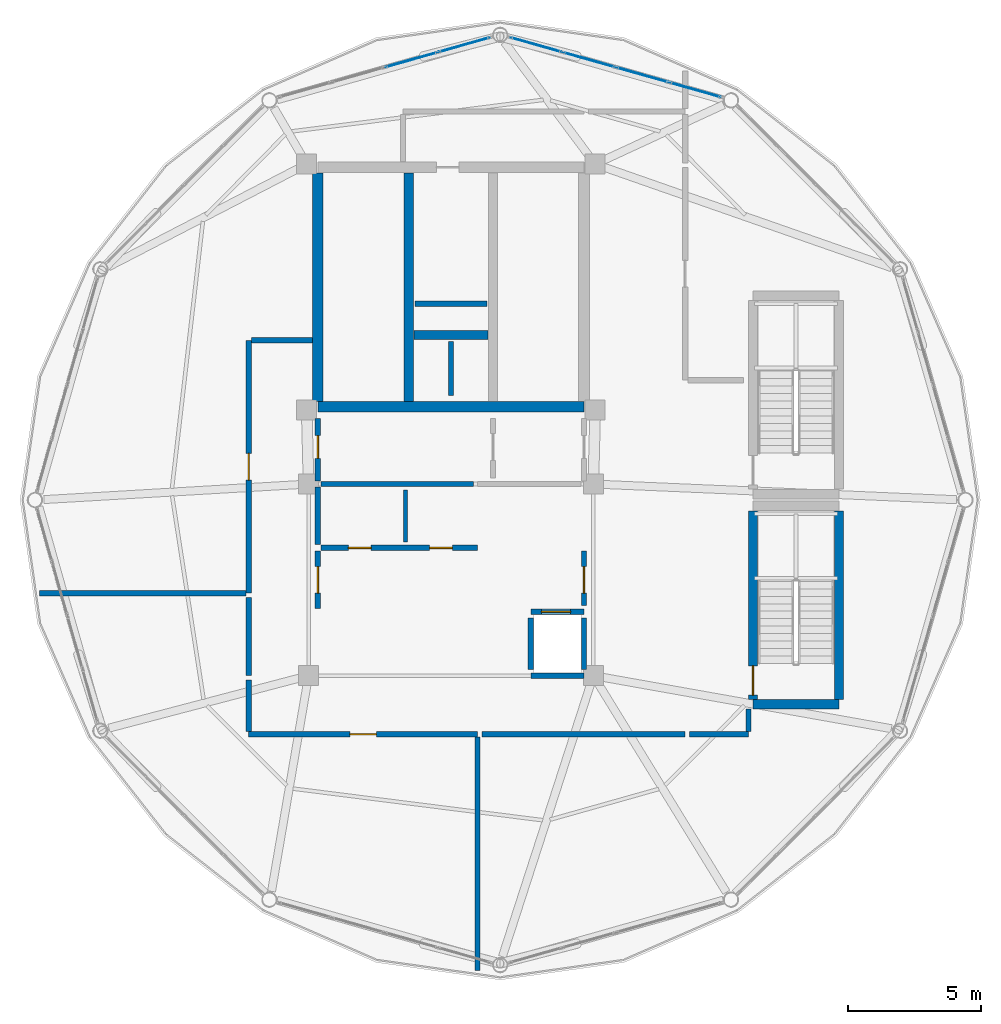
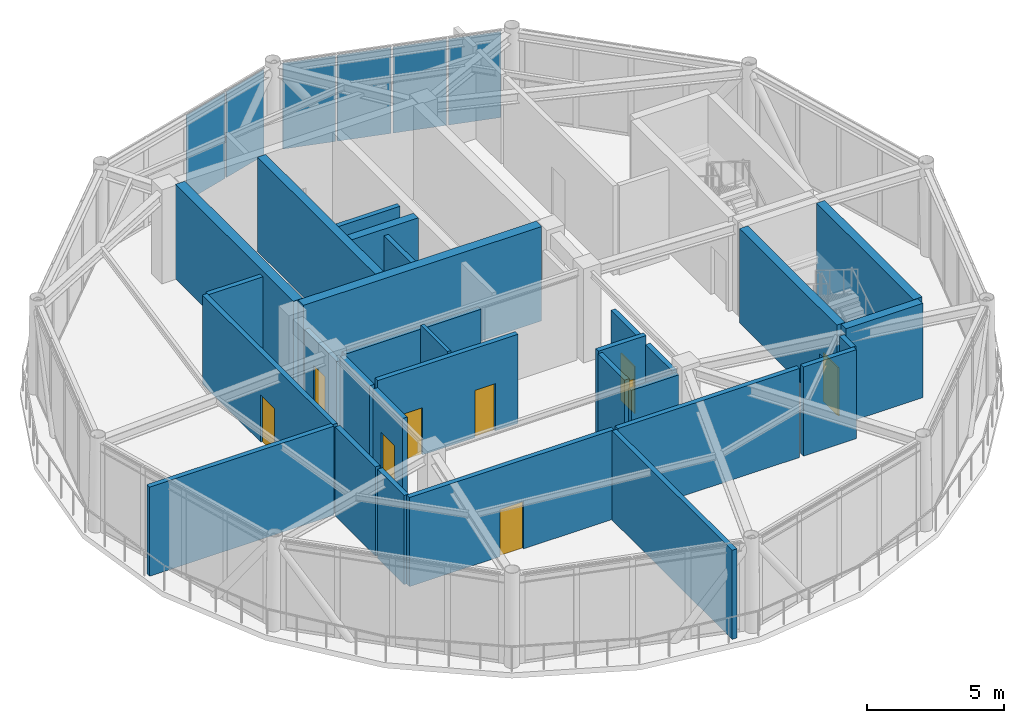
# One storey, part 16 of 20: 30 walls, 9 doors, 6 plates, 9 openings, 2 elements without a shape of their own.
"""IFC4 building model written with IfcOpenShell, lengths in metres."""

from ifc_helpers import new_model, si_unit, direction, frame, frame_2d, origin, origin_2d, place, context, subcontext, project, spatial, rectangle, extrude, source, transform, mapped, material, layer, layer_set, type_object, type_shapes, element, fill, aggregate, save


model = new_model("IFC4")

# Units and contexts
model_context = context("Model", 3, precision=1e-05, world=origin(), true_north=direction((0.0, 1.0)))
body_context = subcontext(model_context, "Body", "Model", "MODEL_VIEW")
ifc_project = project(units=[si_unit("LENGTHUNIT", "METRE"), si_unit("AREAUNIT", "SQUARE_METRE"), si_unit("VOLUMEUNIT", "CUBIC_METRE"), si_unit("PLANEANGLEUNIT", "RADIAN"), si_unit("MASSUNIT", "GRAM", prefix="KILO")], contexts=[model_context])

# Site, building, storey
site_placement = place(None, origin())
site = spatial("IfcSite", under=ifc_project, at=site_placement, CompositionType="ELEMENT")
building_placement = place(site_placement, origin())
building = spatial("IfcBuilding", under=site, at=building_placement, Name="Varnakorn Sky Granary", CompositionType="ELEMENT")
storey_placement = place(building_placement, frame((0.0, 0.0, 302.39990234375)))
storey = spatial("IfcBuildingStorey", under=building, at=storey_placement, Name="L77", CompositionType="ELEMENT", Elevation=302.39990234375)

# Curtain wall, plates
ifc_material_1 = material(Name="Anodised Bronze Aluminium Alloy 6063-T6", Category="aluminium")
ifc_layer_1 = layer(ifc_material_1, 0.22998046875, Name="Anodised Bronze Aluminium Alloy 6063-T6")
ifc_layer_set_1 = layer_set([ifc_layer_1], Name="Anodised Bronze Aluminium Alloy 6063-T6")
curtain_wall_type = type_object("IfcCurtainWallType", Name="CW-LNT-1", PredefinedType="USERDEFINED", material=ifc_layer_set_1)
curtain_wall_1_placement = place(storey_placement, origin())
curtain_wall_1 = element("IfcCurtainWall", 1, at=curtain_wall_1_placement, inside=storey, type_object=curtain_wall_type, Name="Unitised Curtain Wall CW7 CW-L77-B03", ObjectType="CURTAIN WALL", PredefinedType="USERDEFINED")
ifc_material_2 = material(Name="Opaque Insulated Aluminium Shadow-Box Unit", Category="aluminium")
ifc_layer_2 = layer(ifc_material_2, 0.035888671875, Name="Opaque Insulated Aluminium Shadow-Box Unit")
ifc_layer_set_2 = layer_set([ifc_layer_2], Name="Opaque Insulated Aluminium Shadow-Box Unit")
plate_type = type_object("IfcPlateType", Name="CW-LNT-1-PNL", PredefinedType="CURTAIN_PANEL")
shared_shape_1 = source(origin(), body_context, "Body", "SweptSolid", [
    extrude(rectangle(XDim=1.972900390625, YDim=0.035888671875, at=origin_2d()), origin(), (0.0, 0.0, 1.0), 3.81005859375),
])
plate_1_placement = place(storey_placement, frame((6.19775390625, 17.10400390625, 0.074951171875), z_axis=(0.0, 0.0, 1.0), x_axis=(0.962113415029, -0.272649549095, 0.0)))
plate_1 = element("IfcPlate", 2, at=plate_1_placement, type_object=plate_type, material=ifc_layer_set_2, Name="CW7 opaque insulated shadow-box unit 1.1", PredefinedType="CURTAIN_PANEL", context=body_context, shape_type="MappedRepresentation", body=[
    mapped(shared_shape_1, transform((0.0, 0.0, 0.0), x_axis=(1.0, 0.0, 0.0), y_axis=(0.0, 1.0, 0.0), z_axis=(0.0, 0.0, 1.0), scale=1.0)),
])
ifc_material_3 = material(Name="Low-E Tinted Laminated Glass", Category="glass")
ifc_layer_3 = layer(ifc_material_3, 0.035888671875, Name="Low-E Tinted Laminated Glass")
ifc_layer_set_3 = layer_set([ifc_layer_3], Name="Low-E Tinted Laminated Glass")
plate_2_placement = place(storey_placement, frame((12.18115234375, 15.408447265625, 0.074951171875), z_axis=(0.0, 0.0, 1.0), x_axis=(0.962113415029, -0.272649549095, 0.0)))
plate_2 = element("IfcPlate", 3, at=plate_2_placement, type_object=plate_type, material=ifc_layer_set_3, Name="CW7 vision glazing unit 4.1", PredefinedType="CURTAIN_PANEL", context=body_context, shape_type="MappedRepresentation", body=[
    mapped(shared_shape_1, transform((0.0, 0.0, 0.0), x_axis=(1.0, 0.0, 0.0), y_axis=(0.0, 1.0, 0.0), z_axis=(0.0, 0.0, 1.0), scale=1.0)),
])

# Curtain wall, plate
curtain_wall_2_placement = place(storey_placement, origin())
curtain_wall_2 = element("IfcCurtainWall", 4, at=curtain_wall_2_placement, inside=storey, type_object=curtain_wall_type, Name="Unitised Curtain Wall CW7 CW-L77-B04", ObjectType="CURTAIN WALL", PredefinedType="USERDEFINED")
plate_3_placement = place(storey_placement, frame((3.502197265625, 17.10400390625, 0.074951171875), z_axis=(0.0, 0.0, 1.0), x_axis=(0.962113415029, 0.272649549095, 0.0)))
plate_3 = element("IfcPlate", 5, at=plate_3_placement, type_object=plate_type, material=ifc_layer_set_2, Name="CW7 opaque insulated shadow-box unit 4.1", PredefinedType="CURTAIN_PANEL", context=body_context, shape_type="MappedRepresentation", body=[
    mapped(shared_shape_1, transform((0.0, 0.0, 0.0), x_axis=(1.0, 0.0, 0.0), y_axis=(0.0, 1.0, 0.0), z_axis=(0.0, 0.0, 1.0), scale=1.0)),
])

# Plate
shared_shape_2 = source(origin(), body_context, "Body", "SweptSolid", [
    extrude(rectangle(XDim=2.010498046875, YDim=0.035888671875, at=origin_2d()), origin(), (0.0, 0.0, 1.0), 3.81005859375),
])
type_shapes(plate_type, [shared_shape_1, shared_shape_2])
plate_4_placement = place(storey_placement, frame((8.186279296875, 16.54052734375, 0.074951171875), z_axis=(0.0, 0.0, 1.0), x_axis=(0.962113415029, -0.272649549095, 0.0)))
plate_4 = element("IfcPlate", 6, at=plate_4_placement, type_object=plate_type, material=ifc_layer_set_2, Name="CW7 opaque insulated shadow-box unit 2.1", PredefinedType="CURTAIN_PANEL", context=body_context, shape_type="MappedRepresentation", body=[
    mapped(shared_shape_2, transform((0.0, 0.0, 0.0), x_axis=(1.0, 0.0, 0.0), y_axis=(0.0, 1.0, 0.0), z_axis=(0.0, 0.0, 1.0), scale=1.0)),
])

plate_5_placement = place(storey_placement, frame((10.192626953125, 15.971923828125, 0.074951171875), z_axis=(0.0, 0.0, 1.0), x_axis=(0.962113415029, -0.272649549095, 0.0)))
plate_5 = element("IfcPlate", 7, at=plate_5_placement, type_object=plate_type, material=ifc_layer_set_3, Name="CW7 vision glazing unit 3.1", PredefinedType="CURTAIN_PANEL", context=body_context, shape_type="MappedRepresentation", body=[
    mapped(shared_shape_2, transform((0.0, 0.0, 0.0), x_axis=(1.0, 0.0, 0.0), y_axis=(0.0, 1.0, 0.0), z_axis=(0.0, 0.0, 1.0), scale=1.0)),
])

aggregate(curtain_wall_1, [plate_1, plate_4, plate_5, plate_2])

plate_6_placement = place(storey_placement, frame((1.513671875, 16.54052734375, 0.074951171875), z_axis=(0.0, 0.0, 1.0), x_axis=(0.962113415029, 0.272649549095, 0.0)))
plate_6 = element("IfcPlate", 8, at=plate_6_placement, type_object=plate_type, material=ifc_layer_set_2, Name="CW7 opaque insulated shadow-box unit 3.1", PredefinedType="CURTAIN_PANEL", context=body_context, shape_type="MappedRepresentation", body=[
    mapped(shared_shape_2, transform((0.0, 0.0, 0.0), x_axis=(1.0, 0.0, 0.0), y_axis=(0.0, 1.0, 0.0), z_axis=(0.0, 0.0, 1.0), scale=1.0)),
])

aggregate(curtain_wall_2, [plate_6, plate_3])

# Wall
ifc_material_4 = material(Name="Concrete C50/60", Category="concrete")
ifc_layer_4 = layer(ifc_material_4, 0.35009765625, Name="Concrete C50/60")
ifc_layer_set_4 = layer_set([ifc_layer_4], Name="Concrete C50/60")
wall_type_1 = type_object("IfcWallType", Name="WT-CW-INT-350", PredefinedType="SHEAR", material=ifc_layer_set_4)
wall_1_placement = place(storey_placement, frame((14.35009765625, -7.679931640625, 0.0), z_axis=(0.0, 0.0, 1.0), x_axis=(1.0, 0.0, 0.0)))
element("IfcWall", 9, at=wall_1_placement, inside=storey, type_object=wall_type_1, Name="Crown Stair STC2 South Wall L77", PredefinedType="SHEAR", context=body_context, shape_type="SweptSolid", body=[
    extrude(rectangle(XDim=3.22998046875, YDim=0.35009765625, at=frame_2d((1.614990234375, 0.0))), origin(), (0.0, 0.0, 1.0), 4.192138671875),
])

# Wall, opening, door
wall_2_placement = place(storey_placement, frame((14.35009765625, -7.489990234375, 0.0), z_axis=(0.0, 0.0, 1.0), x_axis=(0.0, 1.0, 0.0)))
wall_2 = element("IfcWall", 10, at=wall_2_placement, inside=storey, type_object=wall_type_1, Name="Crown Stair STC2 West Wall L77", PredefinedType="SHEAR", context=body_context, shape_type="SweptSolid", body=[
    extrude(rectangle(XDim=7.080078125, YDim=0.35009765625, at=frame_2d((3.5400390625, 0.0))), origin(), (0.0, 0.0, 1.0), 4.192138671875),
])
opening_1_placement = place(wall_2_placement, frame((0.159912109375, 0.0, 0.0)))
opening_1 = element("IfcOpeningElement", 11, at=opening_1_placement, cuts=wall_2, Name="Opening FD-90", PredefinedType="OPENING", context=body_context, shape_type="SweptSolid", body=[
    extrude(rectangle(XDim=1.10009765625, YDim=2.14990234375, at=frame_2d((0.550048828125, 1.074951171875))), frame((0.0, 0.18505859375, 0.0), z_axis=(0.0, -1.0, 0.0), x_axis=(1.0, 0.0, 0.0)), (0.0, 0.0, 1.0), 0.3701171875),
])
ifc_material_5 = material(Name="Galvanised Painted Steel Leaf", Category="steel")
door_type_1 = type_object("IfcDoorType", Name="DR-STAIR-1100", OperationType="NOTDEFINED", PredefinedType="DOOR", material=ifc_material_5)
door_1_placement = place(opening_1_placement, origin())
door_1 = element("IfcDoor", 12, at=door_1_placement, inside=storey, type_object=door_type_1, Name="Crown Stair STC2 Protected Fire Door L77", OperationType="SINGLE_SWING_RIGHT", OverallHeight=2.14990234375, OverallWidth=1.10009765625, PredefinedType="DOOR", context=body_context, shape_type="SweptSolid", body=[
    extrude(rectangle(XDim=1.10009765625, YDim=2.14990234375, at=frame_2d((0.550048828125, 1.074951171875))), frame((0.0, 0.02490234375, 0.0), z_axis=(0.0, -1.0, 0.0), x_axis=(1.0, 0.0, 0.0)), (0.0, 0.0, 1.0), 0.050048828125),
])
fill(opening_1, door_1)

# Walls
wall_3_placement = place(storey_placement, frame((17.580078125, -7.489990234375, 0.0), z_axis=(0.0, 0.0, 1.0), x_axis=(0.0, 1.0, 0.0)))
element("IfcWall", 13, at=wall_3_placement, inside=storey, type_object=wall_type_1, Name="Crown Stair STC2 East Wall L77", PredefinedType="SHEAR", context=body_context, shape_type="SweptSolid", body=[
    extrude(rectangle(XDim=7.080078125, YDim=0.35009765625, at=frame_2d((3.5400390625, 0.0))), origin(), (0.0, 0.0, 1.0), 4.192138671875),
])
wall_4_placement = place(storey_placement, frame((1.419921875, 3.7099609375, 0.0), z_axis=(0.0, 0.0, 1.0), x_axis=(0.0, 1.0, 0.0)))
element("IfcWall", 14, at=wall_4_placement, inside=storey, type_object=wall_type_1, Name="Stair ST-1 Core Wall L77", PredefinedType="SHEAR", context=body_context, shape_type="SweptSolid", body=[
    extrude(rectangle(XDim=8.580078125, YDim=0.35009765625, at=frame_2d((4.2900390625, 0.0))), origin(), (0.0, 0.0, 1.0), 4.192138671875),
])
wall_5_placement = place(storey_placement, frame((1.610107421875, 6.199951171875, 0.0), z_axis=(0.0, 0.0, 1.0), x_axis=(1.0, 0.0, 0.0)))
element("IfcWall", 15, at=wall_5_placement, inside=storey, type_object=wall_type_1, Name="Core Lift Shaft Cross Wall L77", PredefinedType="SHEAR", context=body_context, shape_type="SweptSolid", body=[
    extrude(rectangle(XDim=2.77978515625, YDim=0.35009765625, at=frame_2d((1.389892578125, 0.0))), origin(), (0.0, 0.0, 1.0), 4.192138671875),
])
ifc_layer_5 = layer(ifc_material_4, 0.39990234375, Name="Concrete C50/60")
ifc_layer_set_5 = layer_set([ifc_layer_5], Name="Concrete C50/60")
wall_type_2 = type_object("IfcWallType", Name="WT-CW-SHEAR-400", PredefinedType="SHEAR", material=ifc_layer_set_5)
wall_6_placement = place(storey_placement, frame((-2.0, 3.5, 0.0), z_axis=(0.0, 0.0, 1.0), x_axis=(1.0, 0.0, 0.0)))
element("IfcWall", 16, at=wall_6_placement, inside=storey, type_object=wall_type_2, Name="Core South Shear Wall L77", PredefinedType="SHEAR", context=body_context, shape_type="SweptSolid", body=[
    extrude(rectangle(XDim=10.0, YDim=0.39990234375, at=frame_2d((5.0, 0.0))), origin(), (0.0, 0.0, 1.0), 4.192138671875),
])
wall_7_placement = place(storey_placement, frame((-2.0, 3.7099609375, 0.0), z_axis=(0.0, 0.0, 1.0), x_axis=(0.0, 1.0, 0.0)))
element("IfcWall", 17, at=wall_7_placement, inside=storey, type_object=wall_type_2, Name="Core West Shear Wall L77", PredefinedType="SHEAR", context=body_context, shape_type="SweptSolid", body=[
    extrude(rectangle(XDim=8.580078125, YDim=0.39990234375, at=frame_2d((4.2900390625, 0.0))), origin(), (0.0, 0.0, 1.0), 4.192138671875),
])

# Wall, opening, door
ifc_material_6 = material(Name="Autoclaved Aerated Concrete Blockwork", Category="masonry")
ifc_layer_6 = layer(ifc_material_6, 0.199951171875, Name="Autoclaved Aerated Concrete Blockwork")
ifc_layer_set_6 = layer_set([ifc_layer_6], Name="Autoclaved Aerated Concrete Blockwork")
wall_type_3 = type_object("IfcWallType", Name="WT-FIRE-200", PredefinedType="MOVABLE", material=ifc_layer_set_6)
wall_8_placement = place(storey_placement, frame((-2.0, 0.719970703125, 0.0), z_axis=(0.0, 0.0, 1.0), x_axis=(0.0, 1.0, 0.0)))
wall_8 = element("IfcWall", 18, at=wall_8_placement, inside=storey, type_object=wall_type_3, Name="Interior Partition Wall L77-009", PredefinedType="MOVABLE", context=body_context, shape_type="SweptSolid", body=[
    extrude(rectangle(XDim=2.35009765625, YDim=0.199951171875, at=frame_2d((1.175048828125, 0.0))), origin(), (0.0, 0.0, 1.0), 3.2919921875),
])
opening_2_placement = place(wall_8_placement, frame((0.844970703125, 0.0, 0.0)))
opening_2 = element("IfcOpeningElement", 19, at=opening_2_placement, cuts=wall_8, Name="Opening FD-60N", PredefinedType="OPENING", context=body_context, shape_type="SweptSolid", body=[
    extrude(rectangle(XDim=0.85009765625, YDim=2.10009765625, at=frame_2d((0.425048828125, 1.050048828125))), frame((0.0, 0.10986328125, 0.0), z_axis=(0.0, -1.0, 0.0), x_axis=(1.0, 0.0, 0.0)), (0.0, 0.0, 1.0), 0.219970703125),
])
ifc_material_7 = material(Name="Acoustic Timber Fire Leaf", Category="wood")
door_type_2 = type_object("IfcDoorType", Name="DR-FD60-850", OperationType="NOTDEFINED", PredefinedType="DOOR", material=ifc_material_7)
door_2_placement = place(opening_2_placement, origin())
door_2 = element("IfcDoor", 20, at=door_2_placement, inside=storey, type_object=door_type_2, Name="Interior Door L77-009-1", OperationType="SINGLE_SWING_LEFT", OverallHeight=2.10009765625, OverallWidth=0.85009765625, PredefinedType="DOOR", context=body_context, shape_type="SweptSolid", body=[
    extrude(rectangle(XDim=0.85009765625, YDim=2.10009765625, at=frame_2d((0.425048828125, 1.050048828125))), frame((0.0, 0.02490234375, 0.0), z_axis=(0.0, -1.0, 0.0), x_axis=(1.0, 0.0, 0.0)), (0.0, 0.0, 1.0), 0.050048828125),
])
fill(opening_2, door_2)

wall_9_placement = place(storey_placement, frame((-2.0, -4.080078125, 0.0), z_axis=(0.0, 0.0, 1.0), x_axis=(0.0, 1.0, 0.0)))
wall_9 = element("IfcWall", 21, at=wall_9_placement, inside=storey, type_object=wall_type_3, Name="Interior Partition Wall L77-011", PredefinedType="MOVABLE", context=body_context, shape_type="SweptSolid", body=[
    extrude(rectangle(XDim=2.16015625, YDim=0.199951171875, at=frame_2d((1.080078125, 0.0))), origin(), (0.0, 0.0, 1.0), 3.672119140625),
])
opening_3_placement = place(wall_9_placement, frame((0.580078125, 0.0, 0.0)))
opening_3 = element("IfcOpeningElement", 22, at=opening_3_placement, cuts=wall_9, Name="Opening FD-60", PredefinedType="OPENING", context=body_context, shape_type="SweptSolid", body=[
    extrude(rectangle(XDim=1.0, YDim=2.10009765625, at=frame_2d((0.5, 1.050048828125))), frame((0.0, 0.10986328125, 0.0), z_axis=(0.0, -1.0, 0.0), x_axis=(1.0, 0.0, 0.0)), (0.0, 0.0, 1.0), 0.219970703125),
])
door_type_3 = type_object("IfcDoorType", Name="DR-FD60-1000", OperationType="NOTDEFINED", PredefinedType="DOOR", material=ifc_material_7)
door_3_placement = place(opening_3_placement, origin())
door_3 = element("IfcDoor", 23, at=door_3_placement, inside=storey, type_object=door_type_3, Name="Interior Door L77-011-1", OperationType="SINGLE_SWING_LEFT", OverallHeight=2.10009765625, OverallWidth=1.0, PredefinedType="DOOR", context=body_context, shape_type="SweptSolid", body=[
    extrude(rectangle(XDim=1.0, YDim=2.10009765625, at=frame_2d((0.5, 1.050048828125))), frame((0.0, 0.02490234375, 0.0), z_axis=(0.0, -1.0, 0.0), x_axis=(1.0, 0.0, 0.0)), (0.0, 0.0, 1.0), 0.050048828125),
])
fill(opening_3, door_3)

wall_10_placement = place(storey_placement, frame((8.0, -3.969970703125, 0.0), z_axis=(0.0, 0.0, 1.0), x_axis=(0.0, 1.0, 0.0)))
wall_10 = element("IfcWall", 24, at=wall_10_placement, inside=storey, type_object=wall_type_3, Name="Interior Partition Wall L77-012", PredefinedType="MOVABLE", context=body_context, shape_type="SweptSolid", body=[
    extrude(rectangle(XDim=2.050048828125, YDim=0.199951171875, at=frame_2d((1.02490234375, 0.0))), origin(), (0.0, 0.0, 1.0), 3.672119140625),
])
opening_4_placement = place(wall_10_placement, frame((0.469970703125, 0.0, 0.0)))
opening_4 = element("IfcOpeningElement", 25, at=opening_4_placement, cuts=wall_10, Name="Opening FD-60", PredefinedType="OPENING", context=body_context, shape_type="SweptSolid", body=[
    extrude(rectangle(XDim=1.0, YDim=2.10009765625, at=frame_2d((0.5, 1.050048828125))), frame((0.0, 0.10986328125, 0.0), z_axis=(0.0, -1.0, 0.0), x_axis=(1.0, 0.0, 0.0)), (0.0, 0.0, 1.0), 0.219970703125),
])
door_4_placement = place(opening_4_placement, origin())
door_4 = element("IfcDoor", 26, at=door_4_placement, inside=storey, type_object=door_type_3, Name="Interior Door L77-012-1", OperationType="SINGLE_SWING_RIGHT", OverallHeight=2.10009765625, OverallWidth=1.0, PredefinedType="DOOR", context=body_context, shape_type="SweptSolid", body=[
    extrude(rectangle(XDim=1.0, YDim=2.10009765625, at=frame_2d((0.5, 1.050048828125))), frame((0.0, 0.02490234375, 0.0), z_axis=(0.0, -1.0, 0.0), x_axis=(1.0, 0.0, 0.0)), (0.0, 0.0, 1.0), 0.050048828125),
])
fill(opening_4, door_4)

# Wall, openings, doors
wall_11_placement = place(storey_placement, frame((-1.889892578125, -1.800048828125, 0.0), z_axis=(0.0, 0.0, 1.0), x_axis=(1.0, 0.0, 0.0)))
wall_11 = element("IfcWall", 27, at=wall_11_placement, inside=storey, type_object=wall_type_3, Name="Interior Partition Wall L77-013", PredefinedType="MOVABLE", context=body_context, shape_type="SweptSolid", body=[
    extrude(rectangle(XDim=5.889892578125, YDim=0.199951171875, at=frame_2d((2.94482421875, 0.0))), origin(), (0.0, 0.0, 1.0), 3.960205078125),
])
opening_5_placement = place(wall_11_placement, frame((1.0400390625, 0.0, 0.0)))
opening_5 = element("IfcOpeningElement", 28, at=opening_5_placement, cuts=wall_11, Name="Opening FD-60N", PredefinedType="OPENING", context=body_context, shape_type="SweptSolid", body=[
    extrude(rectangle(XDim=0.85009765625, YDim=2.10009765625, at=frame_2d((0.425048828125, 1.050048828125))), frame((0.0, 0.10986328125, 0.0), z_axis=(0.0, -1.0, 0.0), x_axis=(1.0, 0.0, 0.0)), (0.0, 0.0, 1.0), 0.219970703125),
])
opening_6_placement = place(wall_11_placement, frame((4.090087890625, 0.0, 0.0)))
opening_6 = element("IfcOpeningElement", 29, at=opening_6_placement, cuts=wall_11, Name="Opening FD-60N", PredefinedType="OPENING", context=body_context, shape_type="SweptSolid", body=[
    extrude(rectangle(XDim=0.85009765625, YDim=2.10009765625, at=frame_2d((0.425048828125, 1.050048828125))), frame((0.0, 0.10986328125, 0.0), z_axis=(0.0, -1.0, 0.0), x_axis=(1.0, 0.0, 0.0)), (0.0, 0.0, 1.0), 0.219970703125),
])
door_5_placement = place(opening_5_placement, origin())
door_5 = element("IfcDoor", 30, at=door_5_placement, inside=storey, type_object=door_type_2, Name="Interior Door L77-013-1", OperationType="SINGLE_SWING_LEFT", OverallHeight=2.10009765625, OverallWidth=0.85009765625, PredefinedType="DOOR", context=body_context, shape_type="SweptSolid", body=[
    extrude(rectangle(XDim=0.85009765625, YDim=2.10009765625, at=frame_2d((0.425048828125, 1.050048828125))), frame((0.0, 0.02490234375, 0.0), z_axis=(0.0, -1.0, 0.0), x_axis=(1.0, 0.0, 0.0)), (0.0, 0.0, 1.0), 0.050048828125),
])
fill(opening_5, door_5)
door_6_placement = place(opening_6_placement, origin())
door_6 = element("IfcDoor", 31, at=door_6_placement, inside=storey, type_object=door_type_2, Name="Interior Door L77-013-2", OperationType="SINGLE_SWING_RIGHT", OverallHeight=2.10009765625, OverallWidth=0.85009765625, PredefinedType="DOOR", context=body_context, shape_type="SweptSolid", body=[
    extrude(rectangle(XDim=0.85009765625, YDim=2.10009765625, at=frame_2d((0.425048828125, 1.050048828125))), frame((0.0, 0.02490234375, 0.0), z_axis=(0.0, -1.0, 0.0), x_axis=(1.0, 0.0, 0.0)), (0.0, 0.0, 1.0), 0.050048828125),
])
fill(opening_6, door_6)

# Wall, opening, door
wall_12_placement = place(storey_placement, frame((-4.60009765625, 6.0, 0.0), z_axis=(0.0, 0.0, 1.0), x_axis=(0.0, -1.0, 0.0)))
wall_12 = element("IfcWall", 32, at=wall_12_placement, inside=storey, type_object=wall_type_3, Name="Interior Partition Wall L77-014", PredefinedType="MOVABLE", context=body_context, shape_type="SweptSolid", body=[
    extrude(rectangle(XDim=9.5, YDim=0.199951171875, at=frame_2d((4.75, 0.0))), origin(), (0.0, 0.0, 1.0), 3.960205078125),
])
opening_7_placement = place(wall_12_placement, frame((4.25, 0.0, 0.0)))
opening_7 = element("IfcOpeningElement", 33, at=opening_7_placement, cuts=wall_12, Name="Opening FD-60", PredefinedType="OPENING", context=body_context, shape_type="SweptSolid", body=[
    extrude(rectangle(XDim=1.0, YDim=2.10009765625, at=frame_2d((0.5, 1.050048828125))), frame((0.0, 0.10986328125, 0.0), z_axis=(0.0, -1.0, 0.0), x_axis=(1.0, 0.0, 0.0)), (0.0, 0.0, 1.0), 0.219970703125),
])
door_7_placement = place(opening_7_placement, origin())
door_7 = element("IfcDoor", 34, at=door_7_placement, inside=storey, type_object=door_type_3, Name="Interior Door L77-014-1", OperationType="SINGLE_SWING_LEFT", OverallHeight=2.10009765625, OverallWidth=1.0, PredefinedType="DOOR", context=body_context, shape_type="SweptSolid", body=[
    extrude(rectangle(XDim=1.0, YDim=2.10009765625, at=frame_2d((0.5, 1.050048828125))), frame((0.0, 0.02490234375, 0.0), z_axis=(0.0, -1.0, 0.0), x_axis=(1.0, 0.0, 0.0)), (0.0, 0.0, 1.0), 0.050048828125),
])
fill(opening_7, door_7)

wall_13_placement = place(storey_placement, frame((-4.60009765625, -8.800048828125, 0.0), z_axis=(0.0, 0.0, 1.0), x_axis=(1.0, 0.0, 0.0)))
wall_13 = element("IfcWall", 35, at=wall_13_placement, inside=storey, type_object=wall_type_3, Name="Interior Partition Wall L77-015", PredefinedType="MOVABLE", context=body_context, shape_type="SweptSolid", body=[
    extrude(rectangle(XDim=8.60009765625, YDim=0.199951171875, at=frame_2d((4.300048828125, 0.0))), origin(), (0.0, 0.0, 1.0), 3.960205078125),
])
opening_8_placement = place(wall_13_placement, frame((3.800048828125, 0.0, 0.0)))
opening_8 = element("IfcOpeningElement", 36, at=opening_8_placement, cuts=wall_13, Name="Opening FD-60", PredefinedType="OPENING", context=body_context, shape_type="SweptSolid", body=[
    extrude(rectangle(XDim=1.0, YDim=2.10009765625, at=frame_2d((0.5, 1.050048828125))), frame((0.0, 0.10986328125, 0.0), z_axis=(0.0, -1.0, 0.0), x_axis=(1.0, 0.0, 0.0)), (0.0, 0.0, 1.0), 0.219970703125),
])
door_8_placement = place(opening_8_placement, origin())
door_8 = element("IfcDoor", 37, at=door_8_placement, inside=storey, type_object=door_type_3, Name="Interior Door L77-015-1", OperationType="SINGLE_SWING_RIGHT", OverallHeight=2.10009765625, OverallWidth=1.0, PredefinedType="DOOR", context=body_context, shape_type="SweptSolid", body=[
    extrude(rectangle(XDim=1.0, YDim=2.10009765625, at=frame_2d((0.5, 1.050048828125))), frame((0.0, 0.02490234375, 0.0), z_axis=(0.0, -1.0, 0.0), x_axis=(1.0, 0.0, 0.0)), (0.0, 0.0, 1.0), 0.050048828125),
])
fill(opening_8, door_8)

# Walls
wall_14_placement = place(storey_placement, frame((-1.8798828125, 0.60009765625, 0.0), z_axis=(0.0, 0.0, 1.0), x_axis=(1.0, 0.0, 0.0)))
element("IfcWall", 38, at=wall_14_placement, inside=storey, type_object=wall_type_3, Name="Interior Partition Wall L77-017", PredefinedType="MOVABLE", context=body_context, shape_type="SweptSolid", body=[
    extrude(rectangle(XDim=5.719970703125, YDim=0.199951171875, at=frame_2d((2.85986328125, 0.0))), origin(), (0.0, 0.0, 1.0), 3.672119140625),
])
wall_15_placement = place(storey_placement, frame((-2.0, -1.679931640625, 0.0), z_axis=(0.0, 0.0, 1.0), x_axis=(0.0, 1.0, 0.0)))
element("IfcWall", 39, at=wall_15_placement, inside=storey, type_object=wall_type_3, Name="Interior Partition Wall L77-019", PredefinedType="MOVABLE", context=body_context, shape_type="SweptSolid", body=[
    extrude(rectangle(XDim=2.159912109375, YDim=0.199951171875, at=frame_2d((1.080078125, 0.0))), origin(), (0.0, 0.0, 1.0), 3.672119140625),
])
wall_16_placement = place(storey_placement, frame((-2.2099609375, 6.0, 0.0), z_axis=(0.0, 0.0, 1.0), x_axis=(-1.0, 0.0, 0.0)))
element("IfcWall", 40, at=wall_16_placement, inside=storey, type_object=wall_type_3, Name="Interior Partition Wall L77-022", PredefinedType="MOVABLE", context=body_context, shape_type="SweptSolid", body=[
    extrude(rectangle(XDim=2.280029296875, YDim=0.199951171875, at=frame_2d((1.14013671875, 0.0))), origin(), (0.0, 0.0, 1.0), 3.960205078125),
])
wall_17_placement = place(storey_placement, frame((-4.60009765625, -3.659912109375, 0.0), z_axis=(0.0, 0.0, 1.0), x_axis=(0.0, -1.0, 0.0)))
element("IfcWall", 41, at=wall_17_placement, inside=storey, type_object=wall_type_3, Name="Interior Partition Wall L77-024", PredefinedType="MOVABLE", context=body_context, shape_type="SweptSolid", body=[
    extrude(rectangle(XDim=2.940185546875, YDim=0.199951171875, at=frame_2d((1.47021484375, 0.0))), origin(), (0.0, 0.0, 1.0), 3.960205078125),
])
wall_18_placement = place(storey_placement, frame((-4.60009765625, -6.760009765625, 0.0), z_axis=(0.0, 0.0, 1.0), x_axis=(0.0, -1.0, 0.0)))
element("IfcWall", 42, at=wall_18_placement, inside=storey, type_object=wall_type_3, Name="Interior Partition Wall L77-025", PredefinedType="MOVABLE", context=body_context, shape_type="SweptSolid", body=[
    extrude(rectangle(XDim=1.929931640625, YDim=0.199951171875, at=frame_2d((0.96484375, 0.0))), origin(), (0.0, 0.0, 1.0), 3.960205078125),
])
wall_19_placement = place(storey_placement, frame((4.159912109375, -8.800048828125, 0.0), z_axis=(0.0, 0.0, 1.0), x_axis=(1.0, 0.0, 0.0)))
element("IfcWall", 43, at=wall_19_placement, inside=storey, type_object=wall_type_3, Name="Interior Partition Wall L77-026", PredefinedType="MOVABLE", context=body_context, shape_type="SweptSolid", body=[
    extrude(rectangle(XDim=7.64013671875, YDim=0.199951171875, at=frame_2d((3.820068359375, 0.0))), origin(), (0.0, 0.0, 1.0), 3.960205078125),
])
wall_20_placement = place(storey_placement, frame((11.9599609375, -8.800048828125, 0.0), z_axis=(0.0, 0.0, 1.0), x_axis=(1.0, 0.0, 0.0)))
element("IfcWall", 44, at=wall_20_placement, inside=storey, type_object=wall_type_3, Name="Interior Partition Wall L77-027", PredefinedType="MOVABLE", context=body_context, shape_type="SweptSolid", body=[
    extrude(rectangle(XDim=2.219970703125, YDim=0.199951171875, at=frame_2d((1.10986328125, 0.0))), origin(), (0.0, 0.0, 1.0), 3.960205078125),
])
wall_21_placement = place(storey_placement, frame((14.179931640625, -8.68994140625, 0.0), z_axis=(0.0, 0.0, 1.0), x_axis=(0.0, 1.0, 0.0)))
element("IfcWall", 45, at=wall_21_placement, inside=storey, type_object=wall_type_3, Name="Interior Partition Wall L77-030", PredefinedType="MOVABLE", context=body_context, shape_type="SweptSolid", body=[
    extrude(rectangle(XDim=0.83984375, YDim=0.199951171875, at=frame_2d((0.419921875, 0.0))), origin(), (0.0, 0.0, 1.0), 3.960205078125),
])
wall_22_placement = place(storey_placement, frame((-4.7099609375, -3.5, 0.0), z_axis=(0.0, 0.0, 1.0), x_axis=(-1.0, 0.0, 0.0)))
element("IfcWall", 46, at=wall_22_placement, inside=storey, type_object=wall_type_3, Name="Interior Partition Wall L77-031", PredefinedType="MOVABLE", context=body_context, shape_type="SweptSolid", body=[
    extrude(rectangle(XDim=7.748046875, YDim=0.199951171875, at=frame_2d((3.8740234375, 0.0))), origin(), (0.0, 0.0, 1.0), 3.960205078125),
])
wall_23_placement = place(storey_placement, frame((4.0, -8.909912109375, 0.0), z_axis=(0.0, 0.0, 1.0), x_axis=(0.0, -1.0, 0.0)))
element("IfcWall", 47, at=wall_23_placement, inside=storey, type_object=wall_type_3, Name="Interior Partition Wall L77-033", PredefinedType="MOVABLE", context=body_context, shape_type="SweptSolid", body=[
    extrude(rectangle(XDim=8.76611328125, YDim=0.199951171875, at=frame_2d((4.383056640625, 0.0))), origin(), (0.0, 0.0, 1.0), 3.960205078125),
])
ifc_material_8 = material(Name="Gypsum Plasterboard on Steel Stud", Category="steel")
ifc_layer_7 = layer(ifc_material_8, 0.14990234375, Name="Gypsum Plasterboard on Steel Stud")
ifc_layer_set_7 = layer_set([ifc_layer_7], Name="Gypsum Plasterboard on Steel Stud")
wall_type_4 = type_object("IfcWallType", Name="WT-PART-150", PredefinedType="PARTITIONING", material=ifc_layer_set_7)
wall_24_placement = place(storey_placement, frame((1.300048828125, -1.570068359375, 0.0), z_axis=(0.0, 0.0, 1.0), x_axis=(0.0, 1.0, 0.0)))
element("IfcWall", 48, at=wall_24_placement, inside=storey, type_object=wall_type_4, Name="Interior Partition Wall L77-018", PredefinedType="PARTITIONING", context=body_context, shape_type="SweptSolid", body=[
    extrude(rectangle(XDim=1.940185546875, YDim=0.14990234375, at=frame_2d((0.97021484375, 0.0))), origin(), (0.0, 0.0, 1.0), 3.960205078125),
])
ifc_layer_8 = layer(ifc_material_6, 0.199951171875, Name="Autoclaved Aerated Concrete Blockwork")
ifc_layer_set_8 = layer_set([ifc_layer_8], Name="Autoclaved Aerated Concrete Blockwork")
wall_type_5 = type_object("IfcWallType", Name="WT-SHAFT-200", PredefinedType="SOLIDWALL", material=ifc_layer_set_8)
wall_25_placement = place(storey_placement, frame((3.0, 3.919921875, 0.0), z_axis=(0.0, 0.0, 1.0), x_axis=(0.0, 1.0, 0.0)))
element("IfcWall", 49, at=wall_25_placement, inside=storey, type_object=wall_type_5, Name="Interior Partition Wall L77-001", PredefinedType="SOLIDWALL", context=body_context, shape_type="SweptSolid", body=[
    extrude(rectangle(XDim=2.030029296875, YDim=0.199951171875, at=frame_2d((1.01513671875, 0.0))), origin(), (0.0, 0.0, 1.0), 3.960205078125),
])
wall_26_placement = place(storey_placement, frame((1.64990234375, 7.3798828125, 0.0), z_axis=(0.0, 0.0, 1.0), x_axis=(1.0, 0.0, 0.0)))
element("IfcWall", 50, at=wall_26_placement, inside=storey, type_object=wall_type_5, Name="Interior Partition Wall L77-002", PredefinedType="SOLIDWALL", context=body_context, shape_type="SweptSolid", body=[
    extrude(rectangle(XDim=2.7001953125, YDim=0.199951171875, at=frame_2d((1.35009765625, 0.0))), origin(), (0.0, 0.0, 1.0), 3.960205078125),
])

# Wall, opening, door
wall_27_placement = place(storey_placement, frame((6.0, -4.199951171875, 0.0), z_axis=(0.0, 0.0, 1.0), x_axis=(1.0, 0.0, 0.0)))
wall_27 = element("IfcWall", 51, at=wall_27_placement, inside=storey, type_object=wall_type_5, Name="Interior Partition Wall L77-004", PredefinedType="SOLIDWALL", context=body_context, shape_type="SweptSolid", body=[
    extrude(rectangle(XDim=2.0, YDim=0.199951171875, at=frame_2d((1.0, 0.0))), origin(), (0.0, 0.0, 1.0), 3.960205078125),
])
opening_9_placement = place(wall_27_placement, frame((0.39990234375, 0.0, 0.0)))
opening_9 = element("IfcOpeningElement", 52, at=opening_9_placement, cuts=wall_27, Name="Opening LD-01", PredefinedType="OPENING", context=body_context, shape_type="SweptSolid", body=[
    extrude(rectangle(XDim=1.10009765625, YDim=2.199951171875, at=frame_2d((0.550048828125, 1.10009765625))), frame((0.0, 0.10986328125, 0.0), z_axis=(0.0, -1.0, 0.0), x_axis=(1.0, 0.0, 0.0)), (0.0, 0.0, 1.0), 0.219970703125),
])
ifc_material_9 = material(Name="Brushed Bronze Stainless Steel", Category="steel")
door_type_4 = type_object("IfcDoorType", Name="DR-LD-1100", OperationType="DOUBLE_DOOR_SLIDING", PredefinedType="DOOR", material=ifc_material_9)
door_9_placement = place(opening_9_placement, origin())
door_9 = element("IfcDoor", 53, at=door_9_placement, inside=storey, type_object=door_type_4, Name="Passenger Lift PL-H2 Sliding Landing Door L77", OperationType="DOUBLE_DOOR_SLIDING", OverallHeight=2.199951171875, OverallWidth=1.10009765625, PredefinedType="DOOR", context=body_context, shape_type="SweptSolid", body=[
    extrude(rectangle(XDim=1.10009765625, YDim=2.199951171875, at=frame_2d((0.550048828125, 1.10009765625))), frame((0.0, 0.02490234375, 0.0), z_axis=(0.0, -1.0, 0.0), x_axis=(1.0, 0.0, 0.0)), (0.0, 0.0, 1.0), 0.050048828125),
])
fill(opening_9, door_9)

# Walls
wall_28_placement = place(storey_placement, frame((6.0, -6.60009765625, 0.0), z_axis=(0.0, 0.0, 1.0), x_axis=(1.0, 0.0, 0.0)))
element("IfcWall", 54, at=wall_28_placement, inside=storey, type_object=wall_type_5, Name="Interior Partition Wall L77-005", PredefinedType="SOLIDWALL", context=body_context, shape_type="SweptSolid", body=[
    extrude(rectangle(XDim=2.0, YDim=0.199951171875, at=frame_2d((1.0, 0.0))), origin(), (0.0, 0.0, 1.0), 3.672119140625),
])
wall_29_placement = place(storey_placement, frame((6.0, -6.3701171875, 0.0), z_axis=(0.0, 0.0, 1.0), x_axis=(0.0, 1.0, 0.0)))
element("IfcWall", 55, at=wall_29_placement, inside=storey, type_object=wall_type_5, Name="Interior Partition Wall L77-006", PredefinedType="SOLIDWALL", context=body_context, shape_type="SweptSolid", body=[
    extrude(rectangle(XDim=1.940185546875, YDim=0.199951171875, at=frame_2d((0.97021484375, 0.0))), origin(), (0.0, 0.0, 1.0), 3.960205078125),
])
wall_30_placement = place(storey_placement, frame((8.0, -6.3701171875, 0.0), z_axis=(0.0, 0.0, 1.0), x_axis=(0.0, 1.0, 0.0)))
element("IfcWall", 56, at=wall_30_placement, inside=storey, type_object=wall_type_5, Name="Interior Partition Wall L77-007", PredefinedType="SOLIDWALL", context=body_context, shape_type="SweptSolid", body=[
    extrude(rectangle(XDim=1.940185546875, YDim=0.199951171875, at=frame_2d((0.97021484375, 0.0))), origin(), (0.0, 0.0, 1.0), 3.672119140625),
])

save(model, "model.ifc")
